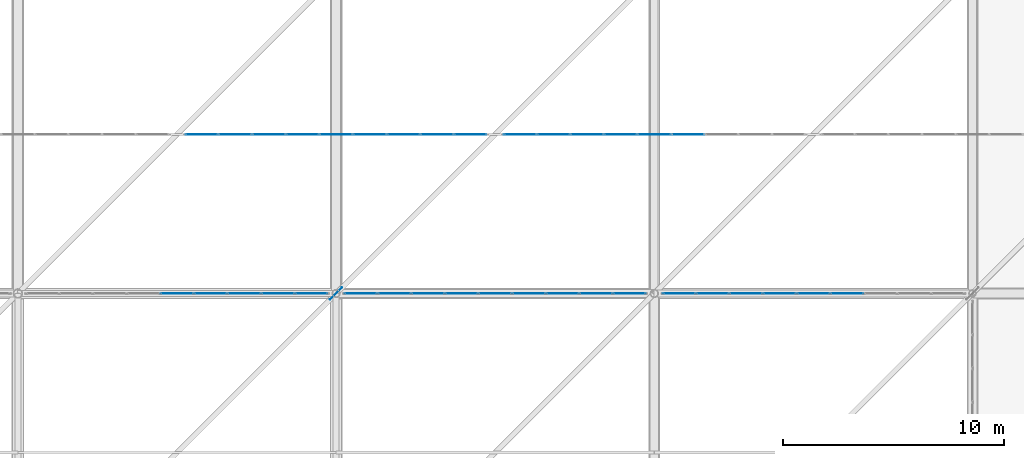
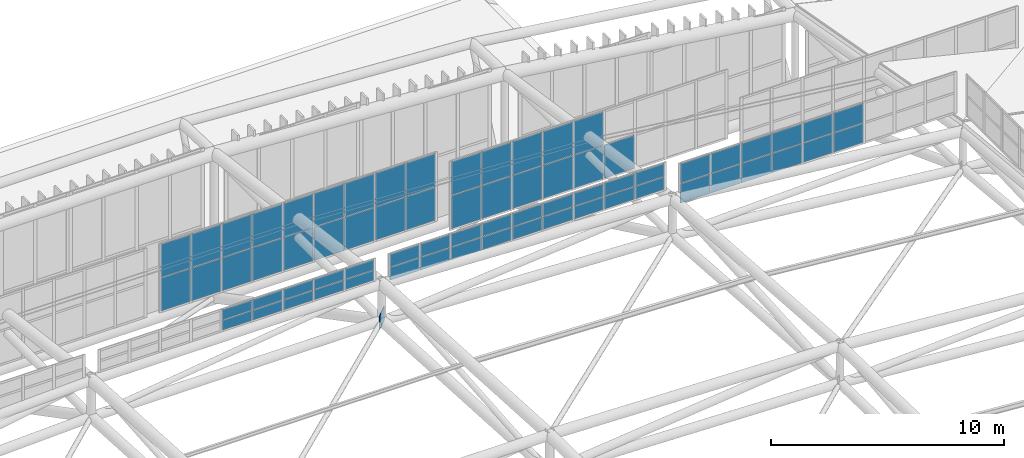
# One storey, part 381 of 397: 70 plates, 5 elements without a shape of their own.
"""IFC4 building model written with IfcOpenShell, lengths in metres."""

from ifc_helpers import new_model, si_unit, direction, frame, origin, origin_2d, place, context, subcontext, project, spatial, rectangle, extrude, material, layer, layer_set, type_object, element, aggregate, save


model = new_model("IFC4")

# Units and contexts
model_context = context("Model", 3, precision=1e-05, world=origin(), true_north=direction((0.0, 1.0)))
body_context = subcontext(model_context, "Body", "Model", "MODEL_VIEW")
ifc_project = project(units=[si_unit("LENGTHUNIT", "METRE"), si_unit("AREAUNIT", "SQUARE_METRE"), si_unit("VOLUMEUNIT", "CUBIC_METRE"), si_unit("PLANEANGLEUNIT", "RADIAN"), si_unit("MASSUNIT", "GRAM", prefix="KILO")], contexts=[model_context])

# Site, building, storey
site_placement = place(None, origin())
site = spatial("IfcSite", under=ifc_project, at=site_placement, CompositionType="ELEMENT")
building_placement = place(site_placement, origin())
building = spatial("IfcBuilding", under=site, at=building_placement, Name="Qandorah Velis Arena", CompositionType="ELEMENT")
storey_placement = place(building_placement, frame((0.0, 0.0, 27.5)))
storey = spatial("IfcBuildingStorey", under=building, at=storey_placement, Name="RF", CompositionType="ELEMENT", Elevation=27.5)

# Curtain wall, plates
ifc_material_1 = material(Name="Solar-control low-E double glazing", Category="glass")
curtain_wall_type_1 = type_object("IfcCurtainWallType", Name="ARC-CW-SYS04", PredefinedType="USERDEFINED", material=ifc_material_1)
curtain_wall_1_placement = place(storey_placement, origin())
curtain_wall_1 = element("IfcCurtainWall", 1, at=curtain_wall_1_placement, inside=storey, type_object=curtain_wall_type_1, Name="Unitised curtain wall MON-4-4", ObjectType="UNITISED CURTAIN WALL", PredefinedType="USERDEFINED")
ifc_layer_1 = layer(ifc_material_1, 0.030029296875)
ifc_layer_set_1 = layer_set([ifc_layer_1], Name="Solar-control low-E double glazing")
plate_type_1 = type_object("IfcPlateType", Name="ARC-CWP-GLZ30", PredefinedType="CURTAIN_PANEL", material=ifc_layer_set_1)
plate_1_placement = place(storey_placement, frame((65.9248046875, 108.0, 6.12451171875), z_axis=(0.0, 0.0, 1.0), x_axis=(1.0, 0.0, 0.0)))
plate_1 = element("IfcPlate", 2, at=plate_1_placement, type_object=plate_type_1, Name="CW04 panel 1.1", PredefinedType="CURTAIN_PANEL", context=body_context, shape_type="SweptSolid", body=[
    extrude(rectangle(XDim=1.459716796875, YDim=0.030029296875, at=origin_2d()), origin(), (0.0, 0.0, 1.0), 1.737548828125),
])
plate_2_placement = place(storey_placement, frame((65.9248046875, 108.0, 7.89697265625), z_axis=(0.0, 0.0, 1.0), x_axis=(1.0, 0.0, 0.0)))
plate_2 = element("IfcPlate", 3, at=plate_2_placement, type_object=plate_type_1, Name="CW04 panel 1.2", PredefinedType="CURTAIN_PANEL", context=body_context, shape_type="SweptSolid", body=[
    extrude(rectangle(XDim=1.459716796875, YDim=0.030029296875, at=origin_2d()), origin(), (0.0, 0.0, 1.0), 1.737548828125),
])
plate_3_placement = place(storey_placement, frame((67.433349609375, 108.0, 6.12451171875), z_axis=(0.0, 0.0, 1.0), x_axis=(1.0, 0.0, 0.0)))
plate_3 = element("IfcPlate", 4, at=plate_3_placement, type_object=plate_type_1, Name="CW04 panel 2.1", PredefinedType="CURTAIN_PANEL", context=body_context, shape_type="SweptSolid", body=[
    extrude(rectangle(XDim=1.4873046875, YDim=0.030029296875, at=origin_2d()), origin(), (0.0, 0.0, 1.0), 1.737548828125),
])
plate_4_placement = place(storey_placement, frame((67.433349609375, 108.0, 7.89697265625), z_axis=(0.0, 0.0, 1.0), x_axis=(1.0, 0.0, 0.0)))
plate_4 = element("IfcPlate", 5, at=plate_4_placement, type_object=plate_type_1, Name="CW04 panel 2.2", PredefinedType="CURTAIN_PANEL", context=body_context, shape_type="SweptSolid", body=[
    extrude(rectangle(XDim=1.4873046875, YDim=0.030029296875, at=origin_2d()), origin(), (0.0, 0.0, 1.0), 1.737548828125),
])
plate_5_placement = place(storey_placement, frame((68.95556640625, 108.0, 6.12451171875), z_axis=(0.0, 0.0, 1.0), x_axis=(1.0, 0.0, 0.0)))
plate_5 = element("IfcPlate", 6, at=plate_5_placement, type_object=plate_type_1, Name="CW04 panel 3.1", PredefinedType="CURTAIN_PANEL", context=body_context, shape_type="SweptSolid", body=[
    extrude(rectangle(XDim=1.4873046875, YDim=0.030029296875, at=origin_2d()), origin(), (0.0, 0.0, 1.0), 1.737548828125),
])
plate_6_placement = place(storey_placement, frame((68.95556640625, 108.0, 7.89697265625), z_axis=(0.0, 0.0, 1.0), x_axis=(1.0, 0.0, 0.0)))
plate_6 = element("IfcPlate", 7, at=plate_6_placement, type_object=plate_type_1, Name="CW04 panel 3.2", PredefinedType="CURTAIN_PANEL", context=body_context, shape_type="SweptSolid", body=[
    extrude(rectangle(XDim=1.4873046875, YDim=0.030029296875, at=origin_2d()), origin(), (0.0, 0.0, 1.0), 1.737548828125),
])
plate_7_placement = place(storey_placement, frame((70.477783203125, 108.0, 6.12451171875), z_axis=(0.0, 0.0, 1.0), x_axis=(1.0, 0.0, 0.0)))
plate_7 = element("IfcPlate", 8, at=plate_7_placement, type_object=plate_type_1, Name="CW04 panel 4.1", PredefinedType="CURTAIN_PANEL", context=body_context, shape_type="SweptSolid", body=[
    extrude(rectangle(XDim=1.4873046875, YDim=0.030029296875, at=origin_2d()), origin(), (0.0, 0.0, 1.0), 1.737548828125),
])
plate_8_placement = place(storey_placement, frame((70.477783203125, 108.0, 7.89697265625), z_axis=(0.0, 0.0, 1.0), x_axis=(1.0, 0.0, 0.0)))
plate_8 = element("IfcPlate", 9, at=plate_8_placement, type_object=plate_type_1, Name="CW04 panel 4.2", PredefinedType="CURTAIN_PANEL", context=body_context, shape_type="SweptSolid", body=[
    extrude(rectangle(XDim=1.4873046875, YDim=0.030029296875, at=origin_2d()), origin(), (0.0, 0.0, 1.0), 1.737548828125),
])
plate_9_placement = place(storey_placement, frame((72.0, 108.0, 6.12451171875), z_axis=(0.0, 0.0, 1.0), x_axis=(1.0, 0.0, 0.0)))
plate_9 = element("IfcPlate", 10, at=plate_9_placement, type_object=plate_type_1, Name="CW04 panel 5.1", PredefinedType="CURTAIN_PANEL", context=body_context, shape_type="SweptSolid", body=[
    extrude(rectangle(XDim=1.4873046875, YDim=0.030029296875, at=origin_2d()), origin(), (0.0, 0.0, 1.0), 1.737548828125),
])
plate_10_placement = place(storey_placement, frame((72.0, 108.0, 7.89697265625), z_axis=(0.0, 0.0, 1.0), x_axis=(1.0, 0.0, 0.0)))
plate_10 = element("IfcPlate", 11, at=plate_10_placement, type_object=plate_type_1, Name="CW04 panel 5.2", PredefinedType="CURTAIN_PANEL", context=body_context, shape_type="SweptSolid", body=[
    extrude(rectangle(XDim=1.4873046875, YDim=0.030029296875, at=origin_2d()), origin(), (0.0, 0.0, 1.0), 1.737548828125),
])
plate_11_placement = place(storey_placement, frame((73.522216796875, 108.0, 6.12451171875), z_axis=(0.0, 0.0, 1.0), x_axis=(1.0, 0.0, 0.0)))
plate_11 = element("IfcPlate", 12, at=plate_11_placement, type_object=plate_type_1, Name="CW04 panel 6.1", PredefinedType="CURTAIN_PANEL", context=body_context, shape_type="SweptSolid", body=[
    extrude(rectangle(XDim=1.4873046875, YDim=0.030029296875, at=origin_2d()), origin(), (0.0, 0.0, 1.0), 1.737548828125),
])
plate_12_placement = place(storey_placement, frame((73.522216796875, 108.0, 7.89697265625), z_axis=(0.0, 0.0, 1.0), x_axis=(1.0, 0.0, 0.0)))
plate_12 = element("IfcPlate", 13, at=plate_12_placement, type_object=plate_type_1, Name="CW04 panel 6.2", PredefinedType="CURTAIN_PANEL", context=body_context, shape_type="SweptSolid", body=[
    extrude(rectangle(XDim=1.4873046875, YDim=0.030029296875, at=origin_2d()), origin(), (0.0, 0.0, 1.0), 1.737548828125),
])
plate_13_placement = place(storey_placement, frame((75.04443359375, 108.0, 6.12451171875), z_axis=(0.0, 0.0, 1.0), x_axis=(1.0, 0.0, 0.0)))
plate_13 = element("IfcPlate", 14, at=plate_13_placement, type_object=plate_type_1, Name="CW04 panel 7.1", PredefinedType="CURTAIN_PANEL", context=body_context, shape_type="SweptSolid", body=[
    extrude(rectangle(XDim=1.4873046875, YDim=0.030029296875, at=origin_2d()), origin(), (0.0, 0.0, 1.0), 1.737548828125),
])
plate_14_placement = place(storey_placement, frame((75.04443359375, 108.0, 7.89697265625), z_axis=(0.0, 0.0, 1.0), x_axis=(1.0, 0.0, 0.0)))
plate_14 = element("IfcPlate", 15, at=plate_14_placement, type_object=plate_type_1, Name="CW04 panel 7.2", PredefinedType="CURTAIN_PANEL", context=body_context, shape_type="SweptSolid", body=[
    extrude(rectangle(XDim=1.4873046875, YDim=0.030029296875, at=origin_2d()), origin(), (0.0, 0.0, 1.0), 1.737548828125),
])
plate_15_placement = place(storey_placement, frame((76.566650390625, 108.0, 6.12451171875), z_axis=(0.0, 0.0, 1.0), x_axis=(1.0, 0.0, 0.0)))
plate_15 = element("IfcPlate", 16, at=plate_15_placement, type_object=plate_type_1, Name="CW04 panel 8.1", PredefinedType="CURTAIN_PANEL", context=body_context, shape_type="SweptSolid", body=[
    extrude(rectangle(XDim=1.4873046875, YDim=0.030029296875, at=origin_2d()), origin(), (0.0, 0.0, 1.0), 1.737548828125),
])
plate_16_placement = place(storey_placement, frame((76.566650390625, 108.0, 7.89697265625), z_axis=(0.0, 0.0, 1.0), x_axis=(1.0, 0.0, 0.0)))
plate_16 = element("IfcPlate", 17, at=plate_16_placement, type_object=plate_type_1, Name="CW04 panel 8.2", PredefinedType="CURTAIN_PANEL", context=body_context, shape_type="SweptSolid", body=[
    extrude(rectangle(XDim=1.4873046875, YDim=0.030029296875, at=origin_2d()), origin(), (0.0, 0.0, 1.0), 1.737548828125),
])
plate_17_placement = place(storey_placement, frame((78.0751953125, 108.0, 6.12451171875), z_axis=(0.0, 0.0, 1.0), x_axis=(1.0, 0.0, 0.0)))
plate_17 = element("IfcPlate", 18, at=plate_17_placement, type_object=plate_type_1, Name="CW04 panel 9.1", PredefinedType="CURTAIN_PANEL", context=body_context, shape_type="SweptSolid", body=[
    extrude(rectangle(XDim=1.459716796875, YDim=0.030029296875, at=origin_2d()), origin(), (0.0, 0.0, 1.0), 1.737548828125),
])
plate_18_placement = place(storey_placement, frame((78.0751953125, 108.0, 7.89697265625), z_axis=(0.0, 0.0, 1.0), x_axis=(1.0, 0.0, 0.0)))
plate_18 = element("IfcPlate", 19, at=plate_18_placement, type_object=plate_type_1, Name="CW04 panel 9.2", PredefinedType="CURTAIN_PANEL", context=body_context, shape_type="SweptSolid", body=[
    extrude(rectangle(XDim=1.459716796875, YDim=0.030029296875, at=origin_2d()), origin(), (0.0, 0.0, 1.0), 1.737548828125),
])
aggregate(curtain_wall_1, [plate_1, plate_2, plate_3, plate_4, plate_5, plate_6, plate_7, plate_8, plate_9, plate_10, plate_11, plate_12, plate_13, plate_14, plate_15, plate_16, plate_17, plate_18])

curtain_wall_type_2 = type_object("IfcCurtainWallType", Name="ARC-CW-SYS05", PredefinedType="USERDEFINED", material=ifc_material_1)
curtain_wall_2_placement = place(storey_placement, origin())
curtain_wall_2 = element("IfcCurtainWall", 20, at=curtain_wall_2_placement, inside=storey, type_object=curtain_wall_type_2, Name="Unitised curtain wall MON-4-5", ObjectType="UNITISED CURTAIN WALL", PredefinedType="USERDEFINED")
plate_19_placement = place(storey_placement, frame((80.324951171875, 108.0, 5.3974609375), z_axis=(0.0, 0.0, 1.0), x_axis=(1.0, 0.0, 0.0)))
plate_19 = element("IfcPlate", 21, at=plate_19_placement, type_object=plate_type_1, Name="CW05 panel 1.1", PredefinedType="CURTAIN_PANEL", context=body_context, shape_type="SweptSolid", body=[
    extrude(rectangle(XDim=1.459716796875, YDim=0.030029296875, at=origin_2d()), origin(), (0.0, 0.0, 1.0), 1.737548828125),
])
plate_20_placement = place(storey_placement, frame((80.324951171875, 108.0, 7.17041015625), z_axis=(0.0, 0.0, 1.0), x_axis=(1.0, 0.0, 0.0)))
plate_20 = element("IfcPlate", 22, at=plate_20_placement, type_object=plate_type_1, Name="CW05 panel 1.2", PredefinedType="CURTAIN_PANEL", context=body_context, shape_type="SweptSolid", body=[
    extrude(rectangle(XDim=1.459716796875, YDim=0.030029296875, at=origin_2d()), origin(), (0.0, 0.0, 1.0), 1.737548828125),
])
plate_21_placement = place(storey_placement, frame((81.833251953125, 108.0, 5.3974609375), z_axis=(0.0, 0.0, 1.0), x_axis=(1.0, 0.0, 0.0)))
plate_21 = element("IfcPlate", 23, at=plate_21_placement, type_object=plate_type_1, Name="CW05 panel 2.1", PredefinedType="CURTAIN_PANEL", context=body_context, shape_type="SweptSolid", body=[
    extrude(rectangle(XDim=1.4873046875, YDim=0.030029296875, at=origin_2d()), origin(), (0.0, 0.0, 1.0), 1.737548828125),
])
plate_22_placement = place(storey_placement, frame((81.833251953125, 108.0, 7.17041015625), z_axis=(0.0, 0.0, 1.0), x_axis=(1.0, 0.0, 0.0)))
plate_22 = element("IfcPlate", 24, at=plate_22_placement, type_object=plate_type_1, Name="CW05 panel 2.2", PredefinedType="CURTAIN_PANEL", context=body_context, shape_type="SweptSolid", body=[
    extrude(rectangle(XDim=1.4873046875, YDim=0.030029296875, at=origin_2d()), origin(), (0.0, 0.0, 1.0), 1.737548828125),
])
plate_23_placement = place(storey_placement, frame((83.35546875, 108.0, 5.3974609375), z_axis=(0.0, 0.0, 1.0), x_axis=(1.0, 0.0, 0.0)))
plate_23 = element("IfcPlate", 25, at=plate_23_placement, type_object=plate_type_1, Name="CW05 panel 3.1", PredefinedType="CURTAIN_PANEL", context=body_context, shape_type="SweptSolid", body=[
    extrude(rectangle(XDim=1.4873046875, YDim=0.030029296875, at=origin_2d()), origin(), (0.0, 0.0, 1.0), 1.737548828125),
])
plate_24_placement = place(storey_placement, frame((83.35546875, 108.0, 7.17041015625), z_axis=(0.0, 0.0, 1.0), x_axis=(1.0, 0.0, 0.0)))
plate_24 = element("IfcPlate", 26, at=plate_24_placement, type_object=plate_type_1, Name="CW05 panel 3.2", PredefinedType="CURTAIN_PANEL", context=body_context, shape_type="SweptSolid", body=[
    extrude(rectangle(XDim=1.4873046875, YDim=0.030029296875, at=origin_2d()), origin(), (0.0, 0.0, 1.0), 1.737548828125),
])
plate_25_placement = place(storey_placement, frame((84.877685546875, 108.0, 5.3974609375), z_axis=(0.0, 0.0, 1.0), x_axis=(1.0, 0.0, 0.0)))
plate_25 = element("IfcPlate", 27, at=plate_25_placement, type_object=plate_type_1, Name="CW05 panel 4.1", PredefinedType="CURTAIN_PANEL", context=body_context, shape_type="SweptSolid", body=[
    extrude(rectangle(XDim=1.4873046875, YDim=0.030029296875, at=origin_2d()), origin(), (0.0, 0.0, 1.0), 1.737548828125),
])
plate_26_placement = place(storey_placement, frame((84.877685546875, 108.0, 7.17041015625), z_axis=(0.0, 0.0, 1.0), x_axis=(1.0, 0.0, 0.0)))
plate_26 = element("IfcPlate", 28, at=plate_26_placement, type_object=plate_type_1, Name="CW05 panel 4.2", PredefinedType="CURTAIN_PANEL", context=body_context, shape_type="SweptSolid", body=[
    extrude(rectangle(XDim=1.4873046875, YDim=0.030029296875, at=origin_2d()), origin(), (0.0, 0.0, 1.0), 1.737548828125),
])
plate_27_placement = place(storey_placement, frame((86.39990234375, 108.0, 5.3974609375), z_axis=(0.0, 0.0, 1.0), x_axis=(1.0, 0.0, 0.0)))
plate_27 = element("IfcPlate", 29, at=plate_27_placement, type_object=plate_type_1, Name="CW05 panel 5.1", PredefinedType="CURTAIN_PANEL", context=body_context, shape_type="SweptSolid", body=[
    extrude(rectangle(XDim=1.4873046875, YDim=0.030029296875, at=origin_2d()), origin(), (0.0, 0.0, 1.0), 1.737548828125),
])
plate_28_placement = place(storey_placement, frame((86.39990234375, 108.0, 7.17041015625), z_axis=(0.0, 0.0, 1.0), x_axis=(1.0, 0.0, 0.0)))
plate_28 = element("IfcPlate", 30, at=plate_28_placement, type_object=plate_type_1, Name="CW05 panel 5.2", PredefinedType="CURTAIN_PANEL", context=body_context, shape_type="SweptSolid", body=[
    extrude(rectangle(XDim=1.4873046875, YDim=0.030029296875, at=origin_2d()), origin(), (0.0, 0.0, 1.0), 1.737548828125),
])
plate_29_placement = place(storey_placement, frame((87.922119140625, 108.0, 5.3974609375), z_axis=(0.0, 0.0, 1.0), x_axis=(1.0, 0.0, 0.0)))
plate_29 = element("IfcPlate", 31, at=plate_29_placement, type_object=plate_type_1, Name="CW05 panel 6.1", PredefinedType="CURTAIN_PANEL", context=body_context, shape_type="SweptSolid", body=[
    extrude(rectangle(XDim=1.4873046875, YDim=0.030029296875, at=origin_2d()), origin(), (0.0, 0.0, 1.0), 1.737548828125),
])
aggregate(curtain_wall_2, [plate_19, plate_20, plate_21, plate_22, plate_23, plate_24, plate_25, plate_26, plate_27, plate_28, plate_29])

curtain_wall_type_3 = type_object("IfcCurtainWallType", Name="ARC-CW-SYS23", PredefinedType="USERDEFINED", material=ifc_material_1)
curtain_wall_3_placement = place(storey_placement, origin())
curtain_wall_3 = element("IfcCurtainWall", 32, at=curtain_wall_3_placement, inside=storey, type_object=curtain_wall_type_3, Name="Unitised curtain wall OCULUS-4-3", ObjectType="UNITISED CURTAIN WALL", PredefinedType="USERDEFINED")
plate_30_placement = place(storey_placement, frame((64.800048828125, 100.800048828125, 9.87646484375), z_axis=(0.0, 0.0, 1.0), x_axis=(1.0, 0.0, 0.0)))
plate_30 = element("IfcPlate", 33, at=plate_30_placement, type_object=plate_type_1, Name="CW23 panel 5.1", PredefinedType="CURTAIN_PANEL", context=body_context, shape_type="SweptSolid", body=[
    extrude(rectangle(XDim=1.4873046875, YDim=0.030029296875, at=origin_2d()), origin(), (0.0, 0.0, 1.0), 0.521728515625),
])
plate_31_placement = place(storey_placement, frame((64.800048828125, 100.800048828125, 10.43310546875), z_axis=(0.0, 0.0, 1.0), x_axis=(1.0, 0.0, 0.0)))
plate_31 = element("IfcPlate", 34, at=plate_31_placement, type_object=plate_type_1, Name="CW23 panel 5.2", PredefinedType="CURTAIN_PANEL", context=body_context, shape_type="SweptSolid", body=[
    extrude(rectangle(XDim=1.4873046875, YDim=0.030029296875, at=origin_2d()), origin(), (0.0, 0.0, 1.0), 0.521728515625),
])
plate_32_placement = place(storey_placement, frame((66.322265625, 100.800048828125, 9.87646484375), z_axis=(0.0, 0.0, 1.0), x_axis=(1.0, 0.0, 0.0)))
plate_32 = element("IfcPlate", 35, at=plate_32_placement, type_object=plate_type_1, Name="CW23 panel 6.1", PredefinedType="CURTAIN_PANEL", context=body_context, shape_type="SweptSolid", body=[
    extrude(rectangle(XDim=1.4873046875, YDim=0.030029296875, at=origin_2d()), origin(), (0.0, 0.0, 1.0), 0.521728515625),
])
plate_33_placement = place(storey_placement, frame((66.322265625, 100.800048828125, 10.43310546875), z_axis=(0.0, 0.0, 1.0), x_axis=(1.0, 0.0, 0.0)))
plate_33 = element("IfcPlate", 36, at=plate_33_placement, type_object=plate_type_1, Name="CW23 panel 6.2", PredefinedType="CURTAIN_PANEL", context=body_context, shape_type="SweptSolid", body=[
    extrude(rectangle(XDim=1.4873046875, YDim=0.030029296875, at=origin_2d()), origin(), (0.0, 0.0, 1.0), 0.521728515625),
])
plate_34_placement = place(storey_placement, frame((67.844482421875, 100.800048828125, 9.87646484375), z_axis=(0.0, 0.0, 1.0), x_axis=(1.0, 0.0, 0.0)))
plate_34 = element("IfcPlate", 37, at=plate_34_placement, type_object=plate_type_1, Name="CW23 panel 7.1", PredefinedType="CURTAIN_PANEL", context=body_context, shape_type="SweptSolid", body=[
    extrude(rectangle(XDim=1.4873046875, YDim=0.030029296875, at=origin_2d()), origin(), (0.0, 0.0, 1.0), 0.521728515625),
])
plate_35_placement = place(storey_placement, frame((67.844482421875, 100.800048828125, 10.43310546875), z_axis=(0.0, 0.0, 1.0), x_axis=(1.0, 0.0, 0.0)))
plate_35 = element("IfcPlate", 38, at=plate_35_placement, type_object=plate_type_1, Name="CW23 panel 7.2", PredefinedType="CURTAIN_PANEL", context=body_context, shape_type="SweptSolid", body=[
    extrude(rectangle(XDim=1.4873046875, YDim=0.030029296875, at=origin_2d()), origin(), (0.0, 0.0, 1.0), 0.521728515625),
])
plate_36_placement = place(storey_placement, frame((69.36669921875, 100.800048828125, 9.87646484375), z_axis=(0.0, 0.0, 1.0), x_axis=(1.0, 0.0, 0.0)))
plate_36 = element("IfcPlate", 39, at=plate_36_placement, type_object=plate_type_1, Name="CW23 panel 8.1", PredefinedType="CURTAIN_PANEL", context=body_context, shape_type="SweptSolid", body=[
    extrude(rectangle(XDim=1.4873046875, YDim=0.030029296875, at=origin_2d()), origin(), (0.0, 0.0, 1.0), 0.521728515625),
])
plate_37_placement = place(storey_placement, frame((69.36669921875, 100.800048828125, 10.43310546875), z_axis=(0.0, 0.0, 1.0), x_axis=(1.0, 0.0, 0.0)))
plate_37 = element("IfcPlate", 40, at=plate_37_placement, type_object=plate_type_1, Name="CW23 panel 8.2", PredefinedType="CURTAIN_PANEL", context=body_context, shape_type="SweptSolid", body=[
    extrude(rectangle(XDim=1.4873046875, YDim=0.030029296875, at=origin_2d()), origin(), (0.0, 0.0, 1.0), 0.521728515625),
])
plate_38_placement = place(storey_placement, frame((70.875244140625, 100.800048828125, 9.87646484375), z_axis=(0.0, 0.0, 1.0), x_axis=(1.0, 0.0, 0.0)))
plate_38 = element("IfcPlate", 41, at=plate_38_placement, type_object=plate_type_1, Name="CW23 panel 9.1", PredefinedType="CURTAIN_PANEL", context=body_context, shape_type="SweptSolid", body=[
    extrude(rectangle(XDim=1.459716796875, YDim=0.030029296875, at=origin_2d()), origin(), (0.0, 0.0, 1.0), 0.521728515625),
])
plate_39_placement = place(storey_placement, frame((70.875244140625, 100.800048828125, 10.43310546875), z_axis=(0.0, 0.0, 1.0), x_axis=(1.0, 0.0, 0.0)))
plate_39 = element("IfcPlate", 42, at=plate_39_placement, type_object=plate_type_1, Name="CW23 panel 9.2", PredefinedType="CURTAIN_PANEL", context=body_context, shape_type="SweptSolid", body=[
    extrude(rectangle(XDim=1.459716796875, YDim=0.030029296875, at=origin_2d()), origin(), (0.0, 0.0, 1.0), 0.521728515625),
])
aggregate(curtain_wall_3, [plate_30, plate_31, plate_32, plate_33, plate_34, plate_35, plate_36, plate_37, plate_38, plate_39])

curtain_wall_type_4 = type_object("IfcCurtainWallType", Name="ARC-CW-SYS24", PredefinedType="USERDEFINED", material=ifc_material_1)
curtain_wall_4_placement = place(storey_placement, origin())
curtain_wall_4 = element("IfcCurtainWall", 43, at=curtain_wall_4_placement, inside=storey, type_object=curtain_wall_type_4, Name="Unitised curtain wall OCULUS-4-4", ObjectType="UNITISED CURTAIN WALL", PredefinedType="USERDEFINED")
plate_40_placement = place(storey_placement, frame((73.124755859375, 100.800048828125, 9.593994140625), z_axis=(0.0, 0.0, 1.0), x_axis=(1.0, 0.0, 0.0)))
plate_40 = element("IfcPlate", 44, at=plate_40_placement, type_object=plate_type_1, Name="CW24 panel 1.1", PredefinedType="CURTAIN_PANEL", context=body_context, shape_type="SweptSolid", body=[
    extrude(rectangle(XDim=1.459716796875, YDim=0.030029296875, at=origin_2d()), origin(), (0.0, 0.0, 1.0), 0.6630859375),
])
plate_41_placement = place(storey_placement, frame((73.124755859375, 100.800048828125, 10.2919921875), z_axis=(0.0, 0.0, 1.0), x_axis=(1.0, 0.0, 0.0)))
plate_41 = element("IfcPlate", 45, at=plate_41_placement, type_object=plate_type_1, Name="CW24 panel 1.2", PredefinedType="CURTAIN_PANEL", context=body_context, shape_type="SweptSolid", body=[
    extrude(rectangle(XDim=1.459716796875, YDim=0.030029296875, at=origin_2d()), origin(), (0.0, 0.0, 1.0), 0.662841796875),
])
plate_42_placement = place(storey_placement, frame((74.63330078125, 100.800048828125, 9.593994140625), z_axis=(0.0, 0.0, 1.0), x_axis=(1.0, 0.0, 0.0)))
plate_42 = element("IfcPlate", 46, at=plate_42_placement, type_object=plate_type_1, Name="CW24 panel 2.1", PredefinedType="CURTAIN_PANEL", context=body_context, shape_type="SweptSolid", body=[
    extrude(rectangle(XDim=1.4873046875, YDim=0.030029296875, at=origin_2d()), origin(), (0.0, 0.0, 1.0), 0.6630859375),
])
plate_43_placement = place(storey_placement, frame((74.63330078125, 100.800048828125, 10.2919921875), z_axis=(0.0, 0.0, 1.0), x_axis=(1.0, 0.0, 0.0)))
plate_43 = element("IfcPlate", 47, at=plate_43_placement, type_object=plate_type_1, Name="CW24 panel 2.2", PredefinedType="CURTAIN_PANEL", context=body_context, shape_type="SweptSolid", body=[
    extrude(rectangle(XDim=1.4873046875, YDim=0.030029296875, at=origin_2d()), origin(), (0.0, 0.0, 1.0), 0.662841796875),
])
plate_44_placement = place(storey_placement, frame((76.155517578125, 100.800048828125, 9.593994140625), z_axis=(0.0, 0.0, 1.0), x_axis=(1.0, 0.0, 0.0)))
plate_44 = element("IfcPlate", 48, at=plate_44_placement, type_object=plate_type_1, Name="CW24 panel 3.1", PredefinedType="CURTAIN_PANEL", context=body_context, shape_type="SweptSolid", body=[
    extrude(rectangle(XDim=1.4873046875, YDim=0.030029296875, at=origin_2d()), origin(), (0.0, 0.0, 1.0), 0.6630859375),
])
plate_45_placement = place(storey_placement, frame((76.155517578125, 100.800048828125, 10.2919921875), z_axis=(0.0, 0.0, 1.0), x_axis=(1.0, 0.0, 0.0)))
plate_45 = element("IfcPlate", 49, at=plate_45_placement, type_object=plate_type_1, Name="CW24 panel 3.2", PredefinedType="CURTAIN_PANEL", context=body_context, shape_type="SweptSolid", body=[
    extrude(rectangle(XDim=1.4873046875, YDim=0.030029296875, at=origin_2d()), origin(), (0.0, 0.0, 1.0), 0.662841796875),
])
plate_46_placement = place(storey_placement, frame((77.677734375, 100.800048828125, 9.593994140625), z_axis=(0.0, 0.0, 1.0), x_axis=(1.0, 0.0, 0.0)))
plate_46 = element("IfcPlate", 50, at=plate_46_placement, type_object=plate_type_1, Name="CW24 panel 4.1", PredefinedType="CURTAIN_PANEL", context=body_context, shape_type="SweptSolid", body=[
    extrude(rectangle(XDim=1.4873046875, YDim=0.030029296875, at=origin_2d()), origin(), (0.0, 0.0, 1.0), 0.6630859375),
])
plate_47_placement = place(storey_placement, frame((77.677734375, 100.800048828125, 10.2919921875), z_axis=(0.0, 0.0, 1.0), x_axis=(1.0, 0.0, 0.0)))
plate_47 = element("IfcPlate", 51, at=plate_47_placement, type_object=plate_type_1, Name="CW24 panel 4.2", PredefinedType="CURTAIN_PANEL", context=body_context, shape_type="SweptSolid", body=[
    extrude(rectangle(XDim=1.4873046875, YDim=0.030029296875, at=origin_2d()), origin(), (0.0, 0.0, 1.0), 0.662841796875),
])
plate_48_placement = place(storey_placement, frame((79.199951171875, 100.800048828125, 9.593994140625), z_axis=(0.0, 0.0, 1.0), x_axis=(1.0, 0.0, 0.0)))
plate_48 = element("IfcPlate", 52, at=plate_48_placement, type_object=plate_type_1, Name="CW24 panel 5.1", PredefinedType="CURTAIN_PANEL", context=body_context, shape_type="SweptSolid", body=[
    extrude(rectangle(XDim=1.4873046875, YDim=0.030029296875, at=origin_2d()), origin(), (0.0, 0.0, 1.0), 0.6630859375),
])
plate_49_placement = place(storey_placement, frame((79.199951171875, 100.800048828125, 10.2919921875), z_axis=(0.0, 0.0, 1.0), x_axis=(1.0, 0.0, 0.0)))
plate_49 = element("IfcPlate", 53, at=plate_49_placement, type_object=plate_type_1, Name="CW24 panel 5.2", PredefinedType="CURTAIN_PANEL", context=body_context, shape_type="SweptSolid", body=[
    extrude(rectangle(XDim=1.4873046875, YDim=0.030029296875, at=origin_2d()), origin(), (0.0, 0.0, 1.0), 0.662841796875),
])
plate_50_placement = place(storey_placement, frame((80.72216796875, 100.800048828125, 9.593994140625), z_axis=(0.0, 0.0, 1.0), x_axis=(1.0, 0.0, 0.0)))
plate_50 = element("IfcPlate", 54, at=plate_50_placement, type_object=plate_type_1, Name="CW24 panel 6.1", PredefinedType="CURTAIN_PANEL", context=body_context, shape_type="SweptSolid", body=[
    extrude(rectangle(XDim=1.4873046875, YDim=0.030029296875, at=origin_2d()), origin(), (0.0, 0.0, 1.0), 0.6630859375),
])
plate_51_placement = place(storey_placement, frame((80.72216796875, 100.800048828125, 10.2919921875), z_axis=(0.0, 0.0, 1.0), x_axis=(1.0, 0.0, 0.0)))
plate_51 = element("IfcPlate", 55, at=plate_51_placement, type_object=plate_type_1, Name="CW24 panel 6.2", PredefinedType="CURTAIN_PANEL", context=body_context, shape_type="SweptSolid", body=[
    extrude(rectangle(XDim=1.4873046875, YDim=0.030029296875, at=origin_2d()), origin(), (0.0, 0.0, 1.0), 0.662841796875),
])
plate_52_placement = place(storey_placement, frame((82.244384765625, 100.800048828125, 9.593994140625), z_axis=(0.0, 0.0, 1.0), x_axis=(1.0, 0.0, 0.0)))
plate_52 = element("IfcPlate", 56, at=plate_52_placement, type_object=plate_type_1, Name="CW24 panel 7.1", PredefinedType="CURTAIN_PANEL", context=body_context, shape_type="SweptSolid", body=[
    extrude(rectangle(XDim=1.4873046875, YDim=0.030029296875, at=origin_2d()), origin(), (0.0, 0.0, 1.0), 0.6630859375),
])
plate_53_placement = place(storey_placement, frame((82.244384765625, 100.800048828125, 10.2919921875), z_axis=(0.0, 0.0, 1.0), x_axis=(1.0, 0.0, 0.0)))
plate_53 = element("IfcPlate", 57, at=plate_53_placement, type_object=plate_type_1, Name="CW24 panel 7.2", PredefinedType="CURTAIN_PANEL", context=body_context, shape_type="SweptSolid", body=[
    extrude(rectangle(XDim=1.4873046875, YDim=0.030029296875, at=origin_2d()), origin(), (0.0, 0.0, 1.0), 0.662841796875),
])
plate_54_placement = place(storey_placement, frame((83.7666015625, 100.800048828125, 9.593994140625), z_axis=(0.0, 0.0, 1.0), x_axis=(1.0, 0.0, 0.0)))
plate_54 = element("IfcPlate", 58, at=plate_54_placement, type_object=plate_type_1, Name="CW24 panel 8.1", PredefinedType="CURTAIN_PANEL", context=body_context, shape_type="SweptSolid", body=[
    extrude(rectangle(XDim=1.4873046875, YDim=0.030029296875, at=origin_2d()), origin(), (0.0, 0.0, 1.0), 0.6630859375),
])
plate_55_placement = place(storey_placement, frame((83.7666015625, 100.800048828125, 10.2919921875), z_axis=(0.0, 0.0, 1.0), x_axis=(1.0, 0.0, 0.0)))
plate_55 = element("IfcPlate", 59, at=plate_55_placement, type_object=plate_type_1, Name="CW24 panel 8.2", PredefinedType="CURTAIN_PANEL", context=body_context, shape_type="SweptSolid", body=[
    extrude(rectangle(XDim=1.4873046875, YDim=0.030029296875, at=origin_2d()), origin(), (0.0, 0.0, 1.0), 0.662841796875),
])
plate_56_placement = place(storey_placement, frame((85.275146484375, 100.800048828125, 9.593994140625), z_axis=(0.0, 0.0, 1.0), x_axis=(1.0, 0.0, 0.0)))
plate_56 = element("IfcPlate", 60, at=plate_56_placement, type_object=plate_type_1, Name="CW24 panel 9.1", PredefinedType="CURTAIN_PANEL", context=body_context, shape_type="SweptSolid", body=[
    extrude(rectangle(XDim=1.459716796875, YDim=0.030029296875, at=origin_2d()), origin(), (0.0, 0.0, 1.0), 0.6630859375),
])
plate_57_placement = place(storey_placement, frame((85.275146484375, 100.800048828125, 10.2919921875), z_axis=(0.0, 0.0, 1.0), x_axis=(1.0, 0.0, 0.0)))
plate_57 = element("IfcPlate", 61, at=plate_57_placement, type_object=plate_type_1, Name="CW24 panel 9.2", PredefinedType="CURTAIN_PANEL", context=body_context, shape_type="SweptSolid", body=[
    extrude(rectangle(XDim=1.459716796875, YDim=0.030029296875, at=origin_2d()), origin(), (0.0, 0.0, 1.0), 0.662841796875),
])
aggregate(curtain_wall_4, [plate_40, plate_41, plate_42, plate_43, plate_44, plate_45, plate_46, plate_47, plate_48, plate_49, plate_50, plate_51, plate_52, plate_53, plate_54, plate_55, plate_56, plate_57])

curtain_wall_type_5 = type_object("IfcCurtainWallType", Name="ARC-CW-SYS01", PredefinedType="USERDEFINED", material=ifc_material_1)
curtain_wall_5_placement = place(storey_placement, origin())
curtain_wall_5 = element("IfcCurtainWall", 62, at=curtain_wall_5_placement, inside=storey, type_object=curtain_wall_type_5, Name="Unitised curtain wall OCULUS-4-5", ObjectType="UNITISED CURTAIN WALL", PredefinedType="USERDEFINED")
plate_58_placement = place(storey_placement, frame((87.52490234375, 100.800048828125, 8.59521484375), z_axis=(0.0, 0.0, 1.0), x_axis=(1.0, 0.0, 0.0)))
plate_58 = element("IfcPlate", 63, at=plate_58_placement, type_object=plate_type_1, Name="CW01 panel 1.1", PredefinedType="CURTAIN_PANEL", context=body_context, shape_type="SweptSolid", body=[
    extrude(rectangle(XDim=1.459716796875, YDim=0.030029296875, at=origin_2d()), origin(), (0.0, 0.0, 1.0), 1.012451171875),
])
plate_59_placement = place(storey_placement, frame((87.52490234375, 100.800048828125, 9.642578125), z_axis=(0.0, 0.0, 1.0), x_axis=(1.0, 0.0, 0.0)))
plate_59 = element("IfcPlate", 64, at=plate_59_placement, type_object=plate_type_1, Name="CW01 panel 1.2", PredefinedType="CURTAIN_PANEL", context=body_context, shape_type="SweptSolid", body=[
    extrude(rectangle(XDim=1.459716796875, YDim=0.030029296875, at=origin_2d()), origin(), (0.0, 0.0, 1.0), 1.012451171875),
])
plate_60_placement = place(storey_placement, frame((89.033447265625, 100.800048828125, 8.59521484375), z_axis=(0.0, 0.0, 1.0), x_axis=(1.0, 0.0, 0.0)))
plate_60 = element("IfcPlate", 65, at=plate_60_placement, type_object=plate_type_1, Name="CW01 panel 2.1", PredefinedType="CURTAIN_PANEL", context=body_context, shape_type="SweptSolid", body=[
    extrude(rectangle(XDim=1.4873046875, YDim=0.030029296875, at=origin_2d()), origin(), (0.0, 0.0, 1.0), 1.012451171875),
])
plate_61_placement = place(storey_placement, frame((89.033447265625, 100.800048828125, 9.642578125), z_axis=(0.0, 0.0, 1.0), x_axis=(1.0, 0.0, 0.0)))
plate_61 = element("IfcPlate", 66, at=plate_61_placement, type_object=plate_type_1, Name="CW01 panel 2.2", PredefinedType="CURTAIN_PANEL", context=body_context, shape_type="SweptSolid", body=[
    extrude(rectangle(XDim=1.4873046875, YDim=0.030029296875, at=origin_2d()), origin(), (0.0, 0.0, 1.0), 1.012451171875),
])
plate_62_placement = place(storey_placement, frame((90.5556640625, 100.800048828125, 8.59521484375), z_axis=(0.0, 0.0, 1.0), x_axis=(1.0, 0.0, 0.0)))
plate_62 = element("IfcPlate", 67, at=plate_62_placement, type_object=plate_type_1, Name="CW01 panel 3.1", PredefinedType="CURTAIN_PANEL", context=body_context, shape_type="SweptSolid", body=[
    extrude(rectangle(XDim=1.4873046875, YDim=0.030029296875, at=origin_2d()), origin(), (0.0, 0.0, 1.0), 1.012451171875),
])
plate_63_placement = place(storey_placement, frame((90.5556640625, 100.800048828125, 9.642578125), z_axis=(0.0, 0.0, 1.0), x_axis=(1.0, 0.0, 0.0)))
plate_63 = element("IfcPlate", 68, at=plate_63_placement, type_object=plate_type_1, Name="CW01 panel 3.2", PredefinedType="CURTAIN_PANEL", context=body_context, shape_type="SweptSolid", body=[
    extrude(rectangle(XDim=1.4873046875, YDim=0.030029296875, at=origin_2d()), origin(), (0.0, 0.0, 1.0), 1.012451171875),
])
plate_64_placement = place(storey_placement, frame((92.077880859375, 100.800048828125, 8.59521484375), z_axis=(0.0, 0.0, 1.0), x_axis=(1.0, 0.0, 0.0)))
plate_64 = element("IfcPlate", 69, at=plate_64_placement, type_object=plate_type_1, Name="CW01 panel 4.1", PredefinedType="CURTAIN_PANEL", context=body_context, shape_type="SweptSolid", body=[
    extrude(rectangle(XDim=1.4873046875, YDim=0.030029296875, at=origin_2d()), origin(), (0.0, 0.0, 1.0), 1.012451171875),
])
plate_65_placement = place(storey_placement, frame((92.077880859375, 100.800048828125, 9.642578125), z_axis=(0.0, 0.0, 1.0), x_axis=(1.0, 0.0, 0.0)))
plate_65 = element("IfcPlate", 70, at=plate_65_placement, type_object=plate_type_1, Name="CW01 panel 4.2", PredefinedType="CURTAIN_PANEL", context=body_context, shape_type="SweptSolid", body=[
    extrude(rectangle(XDim=1.4873046875, YDim=0.030029296875, at=origin_2d()), origin(), (0.0, 0.0, 1.0), 1.012451171875),
])
plate_66_placement = place(storey_placement, frame((93.60009765625, 100.800048828125, 8.59521484375), z_axis=(0.0, 0.0, 1.0), x_axis=(1.0, 0.0, 0.0)))
plate_66 = element("IfcPlate", 71, at=plate_66_placement, type_object=plate_type_1, Name="CW01 panel 5.1", PredefinedType="CURTAIN_PANEL", context=body_context, shape_type="SweptSolid", body=[
    extrude(rectangle(XDim=1.4873046875, YDim=0.030029296875, at=origin_2d()), origin(), (0.0, 0.0, 1.0), 1.012451171875),
])
plate_67_placement = place(storey_placement, frame((93.60009765625, 100.800048828125, 9.642578125), z_axis=(0.0, 0.0, 1.0), x_axis=(1.0, 0.0, 0.0)))
plate_67 = element("IfcPlate", 72, at=plate_67_placement, type_object=plate_type_1, Name="CW01 panel 5.2", PredefinedType="CURTAIN_PANEL", context=body_context, shape_type="SweptSolid", body=[
    extrude(rectangle(XDim=1.4873046875, YDim=0.030029296875, at=origin_2d()), origin(), (0.0, 0.0, 1.0), 1.012451171875),
])
plate_68_placement = place(storey_placement, frame((95.122314453125, 100.800048828125, 8.59521484375), z_axis=(0.0, 0.0, 1.0), x_axis=(1.0, 0.0, 0.0)))
plate_68 = element("IfcPlate", 73, at=plate_68_placement, type_object=plate_type_1, Name="CW01 panel 6.1", PredefinedType="CURTAIN_PANEL", context=body_context, shape_type="SweptSolid", body=[
    extrude(rectangle(XDim=1.4873046875, YDim=0.030029296875, at=origin_2d()), origin(), (0.0, 0.0, 1.0), 1.012451171875),
])
plate_69_placement = place(storey_placement, frame((95.122314453125, 100.800048828125, 9.642578125), z_axis=(0.0, 0.0, 1.0), x_axis=(1.0, 0.0, 0.0)))
plate_69 = element("IfcPlate", 74, at=plate_69_placement, type_object=plate_type_1, Name="CW01 panel 6.2", PredefinedType="CURTAIN_PANEL", context=body_context, shape_type="SweptSolid", body=[
    extrude(rectangle(XDim=1.4873046875, YDim=0.030029296875, at=origin_2d()), origin(), (0.0, 0.0, 1.0), 1.012451171875),
])
aggregate(curtain_wall_5, [plate_58, plate_59, plate_60, plate_61, plate_62, plate_63, plate_64, plate_65, plate_66, plate_67, plate_68, plate_69])

# Plate
ifc_material_2 = material(Name="Steel S355", Category="steel")
ifc_layer_2 = layer(ifc_material_2, 0.031982421875)
ifc_layer_set_2 = layer_set([ifc_layer_2], Name="Steel S355")
plate_type_2 = type_object("IfcPlateType", Name="STR-PLT-GUS32", PredefinedType="SHEET", material=ifc_layer_set_2)
plate_70_placement = place(storey_placement, frame((72.0, 100.800048828125, 7.38818359375), z_axis=(0.0, 0.0, 1.0), x_axis=(0.707106781187, 0.707106781187, 0.0)))
element("IfcPlate", 75, at=plate_70_placement, inside=storey, type_object=plate_type_2, Name="Space frame gusset plate 4.6", PredefinedType="SHEET", context=body_context, shape_type="SweptSolid", body=[
    extrude(rectangle(XDim=0.75, YDim=0.031982421875, at=origin_2d()), origin(), (0.0, 0.0, 1.0), 0.75),
])

save(model, "model.ifc")
